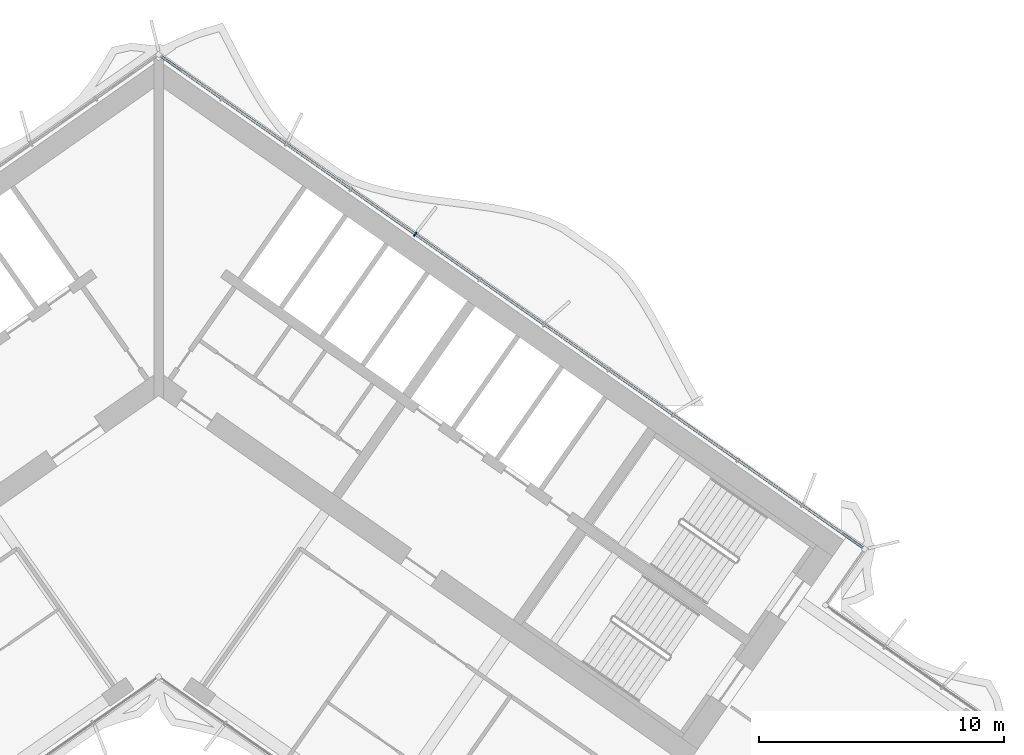
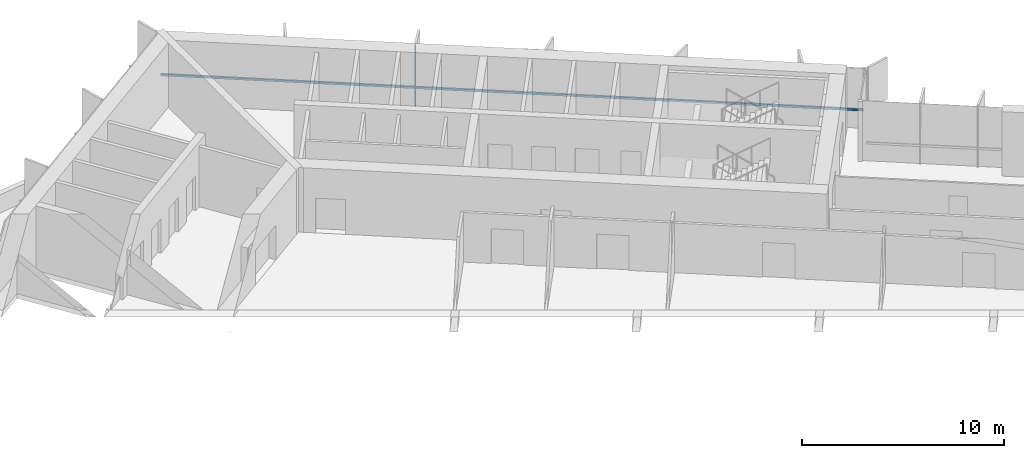
# One storey, part 10 of 23: 2 members, 1 element without a shape of its own.
"""IFC4 building model written with IfcOpenShell, lengths in metres."""

import ifcopenshell
import ifcopenshell.guid

model = None  # the IFC model being written
_history = None  # IfcOwnerHistory: only IFC2X3 demands one
_inside = {}  # id of a spatial element -> (the spatial element, [elements in it])
_under = {}  # id of a project, library or spatial element -> (it, [spatial elements below it])
_declared = {}  # id of a project -> (the project, [libraries it declares])
_typed = {}  # id of a type object -> (the type object, [elements of that type])
_made_of = {}  # id of a material, layer set ... -> (it, [elements and type objects made of it])


def new_model(schema):
    """Start an empty IFC model of exactly this schema.

    Asked for "IFC4X3", IfcOpenShell would pick the latest addendum, in which some entities
    have other attributes; the version numbers below select the first issue.
    IFC2X3 requires an IfcOwnerHistory on every rooted entity: one is made here for all.
    """
    global model, _history
    if schema == "IFC4X3":
        model = ifcopenshell.file(schema_version=(4, 3, 0, 0))
    else:
        model = ifcopenshell.file(schema=schema)
    _inside.clear()
    _under.clear()
    _declared.clear()
    _typed.clear()
    _made_of.clear()
    _history = None
    if model.schema == "IFC2X3":
        org = make("IfcOrganization", Name="unknown")
        user = make(
            "IfcPersonAndOrganization",
            ThePerson=make("IfcPerson", FamilyName="unknown"),
            TheOrganization=org,
        )
        app = make(
            "IfcApplication",
            ApplicationDeveloper=org,
            Version="unknown",
            ApplicationFullName="unknown",
            ApplicationIdentifier="unknown",
        )
        _history = make(
            "IfcOwnerHistory",
            OwningUser=user,
            OwningApplication=app,
            ChangeAction="ADDED",
            CreationDate=0,
        )
    return model


def make(cls, **values):
    """One entity of the class cls with the attributes given. An attribute that is None is left unset."""
    return model.create_entity(
        cls, **{name: value for name, value in values.items() if value is not None}
    )


def rooted(cls, **values):
    """An entity with a GlobalId (a new one), such as an element, a storey or a relation."""
    return make(cls, GlobalId=ifcopenshell.guid.new(), OwnerHistory=_history, **values)


def si_unit(unit_type, name, prefix=None):
    """IfcSIUnit, for example si_unit("LENGTHUNIT", "METRE", prefix="MILLI")."""
    return make("IfcSIUnit", UnitType=unit_type, Prefix=prefix, Name=name)


def assignment(units):
    """IfcUnitAssignment: the units of a project."""
    return None if units is None else make("IfcUnitAssignment", Units=units)


def point(xyz):
    """IfcCartesianPoint."""
    return None if xyz is None else make("IfcCartesianPoint", Coordinates=xyz)


def direction(xyz):
    """IfcDirection."""
    return None if xyz is None else make("IfcDirection", DirectionRatios=xyz)


def frame(location, z_axis=None, x_axis=None):
    """IfcAxis2Placement3D, a coordinate frame: its origin and axes. An axis left out is left unset."""
    return make(
        "IfcAxis2Placement3D",
        Location=point(location),
        Axis=direction(z_axis),
        RefDirection=direction(x_axis),
    )


def frame_2d(location, x_axis=None):
    """IfcAxis2Placement2D, a coordinate frame in the plane: its origin and x axis."""
    return make(
        "IfcAxis2Placement2D", Location=point(location), RefDirection=direction(x_axis)
    )


def origin():
    """The frame at (0, 0, 0) with its axes left unset."""
    return frame((0.0, 0.0, 0.0))


def origin_2d():
    """The frame at (0, 0) in the plane with its x axis left unset."""
    return frame_2d((0.0, 0.0))


def place(relative_to, where):
    """IfcLocalPlacement: puts the frame where relative to a parent placement (None: the world)."""
    return make(
        "IfcLocalPlacement", PlacementRelTo=relative_to, RelativePlacement=where
    )


def context(
    kind, dimensions, precision=None, world=None, true_north=None, identifier=None
):
    """IfcGeometricRepresentationContext, for example the 3D "Model" context."""
    return make(
        "IfcGeometricRepresentationContext",
        ContextIdentifier=identifier,
        ContextType=kind,
        CoordinateSpaceDimension=dimensions,
        Precision=precision,
        WorldCoordinateSystem=world,
        TrueNorth=true_north,
    )


def subcontext(parent, identifier, kind, view, scale=None):
    """IfcGeometricRepresentationSubContext, for example "Body" below "Model"."""
    return make(
        "IfcGeometricRepresentationSubContext",
        ContextIdentifier=identifier,
        ContextType=kind,
        ParentContext=parent,
        TargetScale=scale,
        TargetView=view,
    )


def project(units=None, contexts=None):
    """IfcProject with its units and contexts."""
    return rooted(
        "IfcProject",
        Name="project",
        RepresentationContexts=contexts,
        UnitsInContext=assignment(units),
    )


def spatial(cls, under=None, at=None, **own):
    """A site, building, storey or space (cls), placed at a placement, below another one or the project."""
    s = rooted(cls, ObjectPlacement=at, **own)
    if under is not None:
        _under.setdefault(under.id(), (under, []))[1].append(s)
    return s


def profile(cls, at=None, kind="AREA", **sizes):
    """A parametric profile (cls). Its sizes go by their IFC names, for example OverallWidth=200.0."""
    return make(cls, ProfileType=kind, Position=at, **sizes)


def rectangle(**sizes):
    """IfcRectangleProfileDef."""
    return profile("IfcRectangleProfileDef", **sizes)


def extrude(swept, where, along, depth):
    """IfcExtrudedAreaSolid: the profile swept, set in the frame where, extruded along a direction by depth."""
    return make(
        "IfcExtrudedAreaSolid",
        SweptArea=swept,
        Position=where,
        ExtrudedDirection=direction(along),
        Depth=depth,
    )


def shape(context_of_items, identifier, shape_type, items):
    """IfcShapeRepresentation: the items that make up one representation, for example the "Body"."""
    return make(
        "IfcShapeRepresentation",
        ContextOfItems=context_of_items,
        RepresentationIdentifier=identifier,
        RepresentationType=shape_type,
        Items=items,
    )


def material(Name=None, Category=None):
    """IfcMaterial."""
    return make("IfcMaterial", Name=Name, Category=Category)


def material_profile(
    of_material, cross_section, Name=None, Category=None, Priority=None
):
    """IfcMaterialProfile: a cross section and its material."""
    return make(
        "IfcMaterialProfile",
        Name=Name,
        Material=of_material,
        Profile=cross_section,
        Priority=Priority,
        Category=Category,
    )


def profile_set(profiles, Name=None, composite=None):
    """IfcMaterialProfileSet."""
    return make(
        "IfcMaterialProfileSet",
        Name=Name,
        MaterialProfiles=profiles,
        CompositeProfile=composite,
    )


def made_of(thing, what):
    """Note that an element or type object is made of a material, layer set ...; save() writes the relation."""
    if what is not None:
        _made_of.setdefault(what.id(), (what, []))[1].append(thing)
    return thing


def type_object(cls, material=None, **own):
    """A type object (cls), such as IfcWallType, which elements share."""
    return made_of(rooted(cls, **own), material)


def element(
    cls,
    number,
    at=None,
    inside=None,
    cuts=None,
    type_object=None,
    material=None,
    context=None,
    identifier="Body",
    shape_type=None,
    held_by="IfcProductDefinitionShape",
    body=None,
    shapes=None,
    **own,
):
    """One element of the class cls, such as IfcWall. Its Tag is "e" and its number.

    at: its placement. inside: the storey or other place that contains it. cuts: it is an
    opening in that element (IfcRelVoidsElement). A single representation is given by context,
    identifier, shape_type and body (its items); several are given by shapes. held_by: the class
    of the entity that holds the representations. save() writes the other relations.
    """
    e = rooted(cls, Tag="e%d" % number, ObjectPlacement=at, **own)
    if body is not None:
        shapes = [shape(context, identifier, shape_type, body)]
    if shapes is not None:
        e.Representation = make(held_by, Representations=shapes)
    if inside is not None:
        _inside.setdefault(inside.id(), (inside, []))[1].append(e)
    if cuts is not None:
        rooted(
            "IfcRelVoidsElement", RelatingBuildingElement=cuts, RelatedOpeningElement=e
        )
    if type_object is not None:
        _typed.setdefault(type_object.id(), (type_object, []))[1].append(e)
    return made_of(e, material)


def aggregate(whole, parts):
    """IfcRelAggregates: a whole, such as a stair, and the parts it consists of."""
    return rooted("IfcRelAggregates", RelatingObject=whole, RelatedObjects=parts)


def save(model, path):
    """Write the relations noted so far, then the file.

    IfcRelAggregates (storeys below a building ...), IfcRelContainedInSpatialStructure (elements
    in a storey), IfcRelDefinesByType, IfcRelAssociatesMaterial and IfcRelDeclares: one each for
    every whole, place, type object, material and project.
    """
    for whole, parts in _under.values():
        aggregate(whole, parts)
    for where, things in _inside.values():
        rooted(
            "IfcRelContainedInSpatialStructure",
            RelatedElements=things,
            RelatingStructure=where,
        )
    for kind, things in _typed.values():
        rooted("IfcRelDefinesByType", RelatedObjects=things, RelatingType=kind)
    for what, things in _made_of.values():
        rooted("IfcRelAssociatesMaterial", RelatedObjects=things, RelatingMaterial=what)
    for by, libraries in _declared.values():
        rooted("IfcRelDeclares", RelatingContext=by, RelatedDefinitions=libraries)
    model.write(path)


model = new_model("IFC4")

# Units and contexts
model_context = context("Model", 3, precision=1e-05, world=origin(), true_north=direction((0.0, 1.0)))
body_context = subcontext(model_context, "Body", "Model", "MODEL_VIEW")
ifc_project = project(units=[si_unit("LENGTHUNIT", "METRE"), si_unit("AREAUNIT", "SQUARE_METRE"), si_unit("VOLUMEUNIT", "CUBIC_METRE"), si_unit("PLANEANGLEUNIT", "RADIAN"), si_unit("MASSUNIT", "GRAM", prefix="KILO")], contexts=[model_context])

# Site, building, storey
site_placement = place(None, origin())
site = spatial("IfcSite", under=ifc_project, at=site_placement, CompositionType="ELEMENT")
building_placement = place(site_placement, origin())
building = spatial("IfcBuilding", under=site, at=building_placement, Name="Tel Ilan Convention Tower", CompositionType="ELEMENT")
storey_placement = place(building_placement, frame((0.0, 0.0, 198.300048828125)))
storey = spatial("IfcBuildingStorey", under=building, at=storey_placement, Name="L46", CompositionType="ELEMENT", Elevation=198.300048828125)

# Curtain wall, members
ifc_material_1 = material(Name="Aluminium, bronze anodised", Category="aluminium")
curtain_wall_type = type_object("IfcCurtainWallType", Name="CW2 STICK CURTAIN WALL, SPANDREL PANELS", PredefinedType="NOTDEFINED", material=ifc_material_1)
curtain_wall_placement = place(storey_placement, origin())
curtain_wall = element("IfcCurtainWall", 1, at=curtain_wall_placement, inside=storey, type_object=curtain_wall_type, Name="Curtain wall CW2-36.01", PredefinedType="NOTDEFINED")
ifc_material_2 = material(Name="Aluminium, bronze anodised", Category="aluminium")
ifc_material_profile_1 = material_profile(ifc_material_2, rectangle(XDim=0.06005859375, YDim=0.199951171875, at=origin_2d()), Name="CW MULLION 60x200")
ifc_profile_set_1 = profile_set([ifc_material_profile_1], Name="Aluminium, bronze anodised")
member_type_1 = type_object("IfcMemberType", Name="CW MULLION 60x200", PredefinedType="MULLION", material=ifc_profile_set_1)
member_1_placement = place(storey_placement, frame((10.47314453125, 5.36279296875, 0.0), z_axis=(0.0, 0.0, 1.0), x_axis=(-0.819152044289, 0.573576436351, 0.0)))
member_1 = element("IfcMember", 2, at=member_1_placement, type_object=member_type_1, Name="Mullion", PredefinedType="MULLION", context=body_context, shape_type="SweptSolid", body=[
    extrude(rectangle(XDim=0.06005859375, YDim=0.199951171875, at=origin_2d()), origin(), (0.0, 0.0, 1.0), 3.619873046875),
])
ifc_material_3 = material(Name="Aluminium, bronze anodised", Category="aluminium")
ifc_material_profile_2 = material_profile(ifc_material_3, rectangle(XDim=0.10009765625, YDim=0.1201171875, at=origin_2d()), Name="CW TRANSOM 100x120")
ifc_profile_set_2 = profile_set([ifc_material_profile_2], Name="Aluminium, bronze anodised")
member_type_2 = type_object("IfcMemberType", Name="CW TRANSOM 100x120", PredefinedType="USERDEFINED", material=ifc_profile_set_2)
member_2_placement = place(storey_placement, frame((28.737548828125, -7.42626953125, 1.099853515625), z_axis=(-0.819150201937, 0.573579067494, 0.0), x_axis=(-0.573579067494, -0.819150201937, 0.0)))
member_2 = element("IfcMember", 3, at=member_2_placement, type_object=member_type_2, Name="Transom", ObjectType="TRANSOM", PredefinedType="USERDEFINED", context=body_context, shape_type="SweptSolid", body=[
    extrude(rectangle(XDim=0.10009765625, YDim=0.1201171875, at=origin_2d()), origin(), (0.0, 0.0, 1.0), 34.9521484375),
])
aggregate(curtain_wall, [member_1, member_2])

save(model, "model.ifc")
